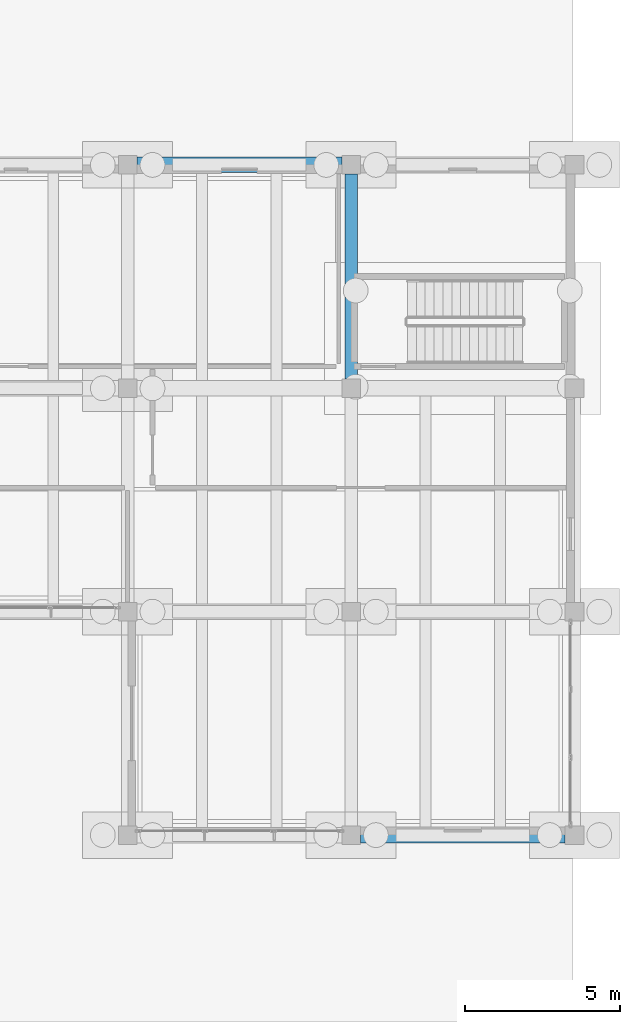
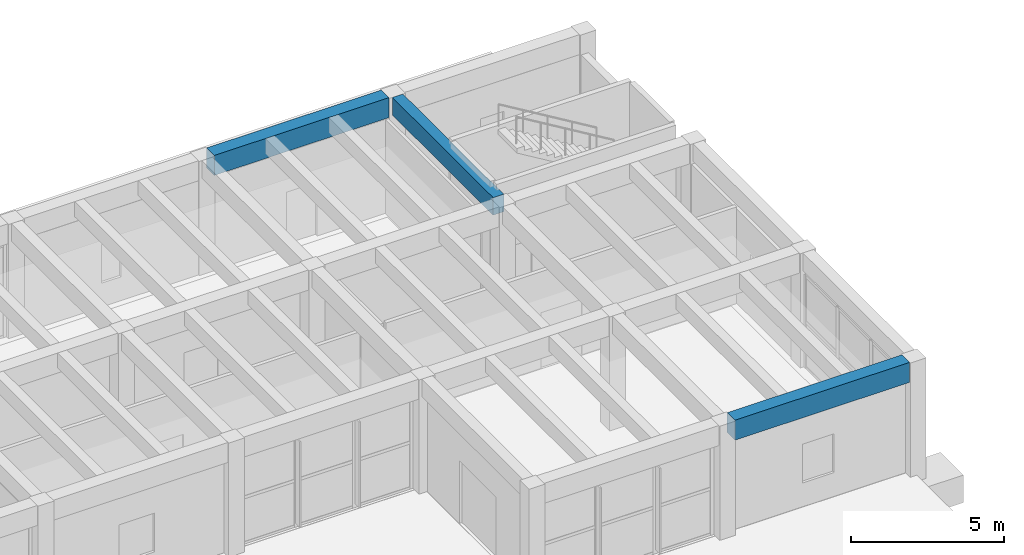
# One storey, part 106 of 155: 3 beams.
"""IFC4 building model written with IfcOpenShell, lengths in metres."""

from ifc_helpers import new_model, si_unit, direction, frame, origin, origin_2d, place, context, subcontext, project, spatial, rectangle, extrude, material, material_profile, profile_set, type_object, element, save


model = new_model("IFC4")

# Units and contexts
model_context = context("Model", 3, precision=1e-05, world=origin(), true_north=direction((0.0, 1.0)))
body_context = subcontext(model_context, "Body", "Model", "MODEL_VIEW")
ifc_project = project(units=[si_unit("LENGTHUNIT", "METRE"), si_unit("AREAUNIT", "SQUARE_METRE"), si_unit("VOLUMEUNIT", "CUBIC_METRE"), si_unit("PLANEANGLEUNIT", "RADIAN"), si_unit("MASSUNIT", "GRAM", prefix="KILO")], contexts=[model_context])

# Site, building, storey
site_placement = place(None, origin())
site = spatial("IfcSite", under=ifc_project, at=site_placement, CompositionType="ELEMENT")
building_placement = place(site_placement, origin())
building = spatial("IfcBuilding", under=site, at=building_placement, Name="Bramvelor Terrace Health Centre", CompositionType="ELEMENT")
storey_placement = place(building_placement, origin())
storey = spatial("IfcBuildingStorey", under=building, at=storey_placement, Name="L01", CompositionType="ELEMENT", Elevation=0.0)

# Beams
ifc_material_1 = material(Name="Concrete C40/50", Category="concrete")
ifc_material_profile_1 = material_profile(ifc_material_1, rectangle(XDim=0.39990234375, YDim=0.699951171875, at=origin_2d()), Name="RC 400x700")
ifc_profile_set_1 = profile_set([ifc_material_profile_1], Name="Concrete C40/50")
beam_type_1 = type_object("IfcBeamType", Name="BM-RC-G700", PredefinedType="BEAM", material=ifc_profile_set_1)
beam_placement = place(storey_placement, frame((158.39990234375, 57.89990234375, 4.2099609375), z_axis=(0.0, 1.0, 0.0), x_axis=(-1.0, 0.0, 0.0)))
element("IfcBeam", 1, at=beam_placement, inside=storey, type_object=beam_type_1, Name="L01 Floor Girder", PredefinedType="BEAM", context=body_context, shape_type="SweptSolid", body=[
    extrude(rectangle(XDim=0.39990234375, YDim=0.699951171875, at=origin_2d()), origin(), (0.0, 0.0, 1.0), 6.60009765625),
])
ifc_material_2 = material(Name="Concrete C40/50", Category="concrete")
ifc_material_profile_2 = material_profile(ifc_material_2, rectangle(XDim=0.5, YDim=0.800048828125, at=origin_2d()), Name="RC 500x800")
ifc_profile_set_2 = profile_set([ifc_material_profile_2], Name="Concrete C40/50")
beam_type_2 = type_object("IfcBeamType", Name="BM-RC-G800", PredefinedType="BEAM", material=ifc_profile_set_2)
for number, where, z_axis, x_axis, name in (
    (2, (151.5, 64.800048828125, 4.159912109375), (1.0, 0.0, 0.0), (0.0, 1.0, 0.0), "L01 Floor Girder"),
    (3, (158.699951171875, 43.199951171875, 4.159912109375), (1.0, 0.0, 0.0), (0.0, 1.0, 0.0), "L01 Floor Girder"),
):
    element("IfcBeam", number, at=place(storey_placement, frame(where, z_axis=z_axis, x_axis=x_axis)), inside=storey, type_object=beam_type_2, Name=name, PredefinedType="BEAM", context=body_context, shape_type="SweptSolid", body=[
        extrude(rectangle(XDim=0.5, YDim=0.800048828125, at=origin_2d()), origin(), (0.0, 0.0, 1.0), 6.60009765625),
    ])

save(model, "model.ifc")
